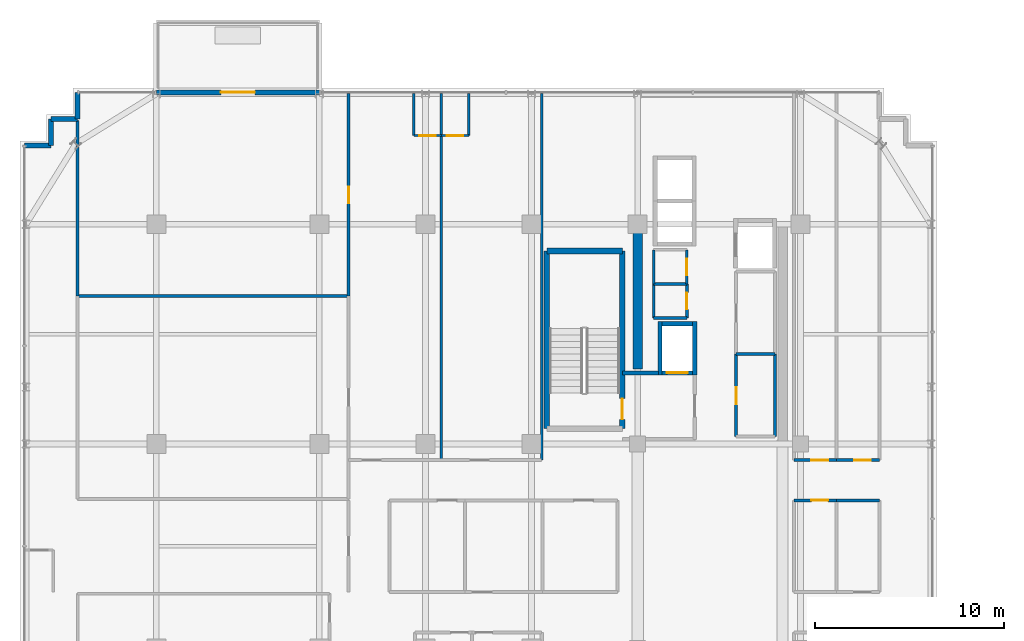
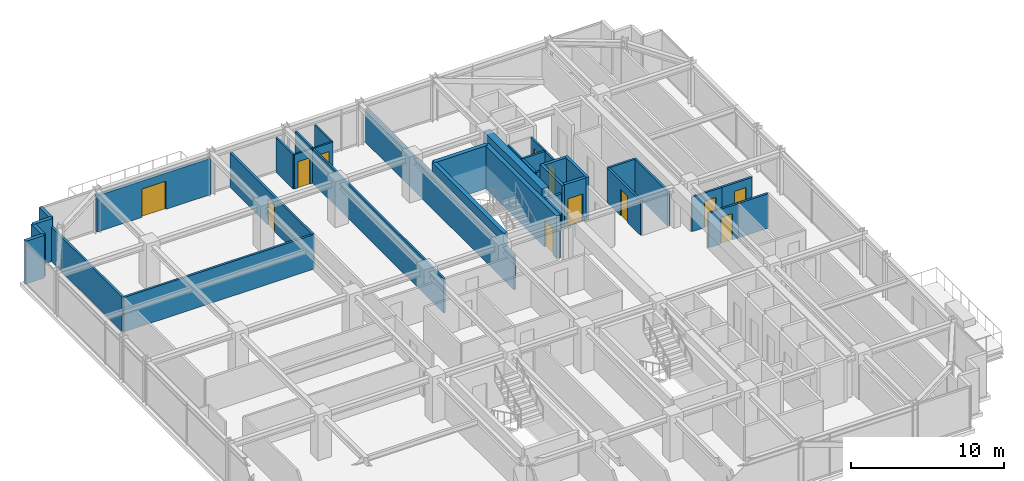
# One storey, part 32 of 36: 36 walls, 12 doors, 12 openings.
"""IFC4 building model written with IfcOpenShell, lengths in metres."""

from ifc_helpers import new_model, si_unit, direction, frame, frame_2d, origin, place, context, subcontext, project, spatial, rectangle, extrude, source, transform, mapped, material, layer, layer_set, type_object, element, fill, save


model = new_model("IFC4")

# Units and contexts
model_context = context("Model", 3, precision=1e-05, world=origin(), true_north=direction((0.0, 1.0)))
body_context = subcontext(model_context, "Body", "Model", "MODEL_VIEW")
ifc_project = project(units=[si_unit("LENGTHUNIT", "METRE"), si_unit("AREAUNIT", "SQUARE_METRE"), si_unit("VOLUMEUNIT", "CUBIC_METRE"), si_unit("PLANEANGLEUNIT", "RADIAN"), si_unit("MASSUNIT", "GRAM", prefix="KILO")], contexts=[model_context])

# Site, building, storey
site_placement = place(None, origin())
site = spatial("IfcSite", under=ifc_project, at=site_placement, CompositionType="ELEMENT")
building_placement = place(site_placement, origin())
building = spatial("IfcBuilding", under=site, at=building_placement, Name="Nahalor Promenade Grand Hotel", CompositionType="ELEMENT")
storey_placement = place(building_placement, frame((0.0, 0.0, 219.699951171875)))
storey = spatial("IfcBuildingStorey", under=building, at=storey_placement, Name="L56", CompositionType="ELEMENT", Elevation=219.699951171875)

# Walls
ifc_material_1 = material(Name="Concrete B-60 (C50/60)", Category="concrete")
ifc_layer_1 = layer(ifc_material_1, 0.5)
ifc_layer_set_1 = layer_set([ifc_layer_1], Name="Concrete B-60 (C50/60)")
wall_type_1 = type_object("IfcWallType", Name="Wall-CoreShear-500", PredefinedType="SHEAR", material=ifc_layer_set_1)
shared_shape_1 = source(origin(), body_context, "Body", "SweptSolid", [
    extrude(rectangle(XDim=7.64990234375, YDim=0.5, at=frame_2d((3.824951171875, 0.0))), origin(), (0.0, 0.0, 1.0), 3.41015625),
])
wall_1_placement = place(storey_placement, frame((8.39990234375, 9.35009765625, 0.0), z_axis=(0.0, 0.0, 1.0), x_axis=(0.0, 1.0, 0.0)))
element("IfcWall", 1, at=wall_1_placement, inside=storey, type_object=wall_type_1, Name="CWALL-L56-NW", PredefinedType="SHEAR", context=body_context, shape_type="MappedRepresentation", body=[
    mapped(shared_shape_1, transform((0.0, 0.0, 0.0), scale=1.0)),
])
ifc_material_2 = material(Name="Concrete B-50 (C40/50)", Category="concrete")
ifc_layer_2 = layer(ifc_material_2, 0.300048828125)
ifc_layer_set_2 = layer_set([ifc_layer_2], Name="Concrete B-50 (C40/50)")
wall_type_2 = type_object("IfcWallType", Name="Wall-ShaftShear-300", PredefinedType="SHEAR", material=ifc_layer_set_2)
shared_shape_2 = source(origin(), body_context, "Body", "SweptSolid", [
    extrude(rectangle(XDim=3.97998046875, YDim=0.300048828125, at=frame_2d((1.989990234375, 0.0))), origin(), (0.0, 0.0, 1.0), 3.41015625),
])
wall_2_placement = place(storey_placement, frame((3.610107421875, 15.590087890625, 0.0), z_axis=(0.0, 0.0, 1.0), x_axis=(1.0, 0.0, 0.0)))
element("IfcWall", 2, at=wall_2_placement, inside=storey, type_object=wall_type_2, Name="L56 Exit Stair ST1 Shaft Wall N", PredefinedType="SHEAR", context=body_context, shape_type="MappedRepresentation", body=[
    mapped(shared_shape_2, transform((0.0, 0.0, 0.0), scale=1.0)),
])
shared_shape_3 = source(origin(), body_context, "Body", "SweptSolid", [
    extrude(rectangle(XDim=9.380126953125, YDim=0.300048828125, at=frame_2d((4.68994140625, 0.0))), origin(), (0.0, 0.0, 1.0), 3.41015625),
])
wall_3_placement = place(storey_placement, frame((3.610107421875, 6.2099609375, 0.0), z_axis=(0.0, 0.0, 1.0), x_axis=(0.0, 1.0, 0.0)))
element("IfcWall", 3, at=wall_3_placement, inside=storey, type_object=wall_type_2, Name="L56 Exit Stair ST1 Shaft Wall W", PredefinedType="SHEAR", context=body_context, shape_type="MappedRepresentation", body=[
    mapped(shared_shape_3, transform((0.0, 0.0, 0.0), scale=1.0)),
])

# Wall, opening, door
wall_4_placement = place(storey_placement, frame((7.590087890625, 6.2099609375, 0.0), z_axis=(0.0, 0.0, 1.0), x_axis=(0.0, 1.0, 0.0)))
wall_4 = element("IfcWall", 4, at=wall_4_placement, inside=storey, type_object=wall_type_2, Name="L56 Exit Stair ST1 Shaft Wall E", PredefinedType="SHEAR", context=body_context, shape_type="MappedRepresentation", body=[
    mapped(shared_shape_3, transform((0.0, 0.0, 0.0), scale=1.0)),
])
opening_1_placement = place(wall_4_placement, frame((0.489990234375, 0.0, 0.0)))
opening_1 = element("IfcOpeningElement", 5, at=opening_1_placement, cuts=wall_4, Name="Opening D-ST1", PredefinedType="OPENING", context=body_context, shape_type="SweptSolid", body=[
    extrude(rectangle(XDim=1.10009765625, YDim=2.14990234375, at=frame_2d((0.550048828125, 1.074951171875))), frame((0.0, 0.159912109375, 0.0), z_axis=(0.0, -1.0, 0.0), x_axis=(1.0, 0.0, 0.0)), (0.0, 0.0, 1.0), 0.320068359375),
])
ifc_material_3 = material(Name="Steel S355JR", Category="steel")
door_type_1 = type_object("IfcDoorType", Name="Door-StairFire-1100", OperationType="NOTDEFINED", PredefinedType="DOOR", material=ifc_material_3)
shared_shape_4 = source(origin(), body_context, "Body", "SweptSolid", [
    extrude(rectangle(XDim=1.10009765625, YDim=2.14990234375, at=frame_2d((0.550048828125, 1.074951171875))), frame((0.0, 0.02490234375, 0.0), z_axis=(0.0, -1.0, 0.0), x_axis=(1.0, 0.0, 0.0)), (0.0, 0.0, 1.0), 0.050048828125),
])
door_1_placement = place(opening_1_placement, origin())
door_1 = element("IfcDoor", 6, at=door_1_placement, inside=storey, type_object=door_type_1, Name="DR-STAIR-ST1-L56", OperationType="SINGLE_SWING_LEFT", OverallHeight=2.14990234375, OverallWidth=1.10009765625, PredefinedType="DOOR", context=body_context, shape_type="MappedRepresentation", body=[
    mapped(shared_shape_4, transform((0.0, 0.0, 0.0), scale=1.0)),
])
fill(opening_1, door_1)

# Walls
ifc_layer_3 = layer(ifc_material_2, 0.219970703125)
ifc_layer_set_3 = layer_set([ifc_layer_3], Name="Concrete B-50 (C40/50)")
wall_type_3 = type_object("IfcWallType", Name="Wall-LiftShaft-220", PredefinedType="SHEAR", material=ifc_layer_set_3)
shared_shape_5 = source(origin(), body_context, "Body", "SweptSolid", [
    extrude(rectangle(XDim=2.820068359375, YDim=0.219970703125, at=frame_2d((1.41015625, 0.0))), origin(), (0.0, 0.0, 1.0), 3.41015625),
])
for number, where, z_axis, x_axis, name in (
    (7, (9.580078125, 9.0400390625, 0.0), (0.0, 0.0, 1.0), (0.0, 1.0, 0.0), "L56 Lift FL1 Hoistway Wall W"),
    (8, (11.419921875, 9.0400390625, 0.0), (0.0, 0.0, 1.0), (0.0, 1.0, 0.0), "L56 Lift FL1 Hoistway Wall E"),
):
    element("IfcWall", number, at=place(storey_placement, frame(where, z_axis=z_axis, x_axis=x_axis)), inside=storey, type_object=wall_type_3, Name=name, PredefinedType="SHEAR", context=body_context, shape_type="MappedRepresentation", body=[
        mapped(shared_shape_5, transform((0.0, 0.0, 0.0), scale=1.0)),
    ])

# Wall, opening, door
shared_shape_6 = source(origin(), body_context, "Body", "SweptSolid", [
    extrude(rectangle(XDim=1.6201171875, YDim=0.219970703125, at=frame_2d((0.81005859375, 0.0))), origin(), (0.0, 0.0, 1.0), 3.41015625),
])
wall_5_placement = place(storey_placement, frame((9.68994140625, 9.14990234375, 0.0), z_axis=(0.0, 0.0, 1.0), x_axis=(1.0, 0.0, 0.0)))
wall_5 = element("IfcWall", 9, at=wall_5_placement, inside=storey, type_object=wall_type_3, Name="L56 Lift FL1 Hoistway Wall S", PredefinedType="SHEAR", context=body_context, shape_type="MappedRepresentation", body=[
    mapped(shared_shape_6, transform((0.0, 0.0, 0.0), scale=1.0)),
])
opening_2_placement = place(wall_5_placement, frame((0.260009765625, 0.0, 0.0)))
opening_2 = element("IfcOpeningElement", 10, at=opening_2_placement, cuts=wall_5, Name="Opening LD-02", PredefinedType="OPENING", context=body_context, shape_type="SweptSolid", body=[
    extrude(rectangle(XDim=1.10009765625, YDim=2.199951171875, at=frame_2d((0.550048828125, 1.10009765625))), frame((0.0, 0.119873046875, 0.0), z_axis=(0.0, -1.0, 0.0), x_axis=(1.0, 0.0, 0.0)), (0.0, 0.0, 1.0), 0.239990234375),
])
door_type_2 = type_object("IfcDoorType", Name="Door-LiftFF-1100", OperationType="DOUBLE_DOOR_SLIDING", PredefinedType="DOOR", material=ifc_material_3)
shared_shape_7 = source(origin(), body_context, "Body", "SweptSolid", [
    extrude(rectangle(XDim=1.10009765625, YDim=2.199951171875, at=frame_2d((0.550048828125, 1.10009765625))), frame((0.0, 0.02490234375, 0.0), z_axis=(0.0, -1.0, 0.0), x_axis=(1.0, 0.0, 0.0)), (0.0, 0.0, 1.0), 0.050048828125),
])
door_2_placement = place(opening_2_placement, frame((1.10009765625, 0.0, 0.0), z_axis=(0.0, 0.0, 1.0), x_axis=(-1.0, 0.0, 0.0)))
door_2 = element("IfcDoor", 11, at=door_2_placement, inside=storey, type_object=door_type_2, Name="DR-LIFT-FL1-L56", OperationType="DOUBLE_DOOR_SLIDING", OverallHeight=2.199951171875, OverallWidth=1.10009765625, PredefinedType="DOOR", context=body_context, shape_type="MappedRepresentation", body=[
    mapped(shared_shape_7, transform((0.0, 0.0, 0.0), scale=1.0)),
])
fill(opening_2, door_2)

# Walls
wall_6_placement = place(storey_placement, frame((9.68994140625, 11.75, 0.0), z_axis=(0.0, 0.0, 1.0), x_axis=(1.0, 0.0, 0.0)))
element("IfcWall", 12, at=wall_6_placement, inside=storey, type_object=wall_type_3, Name="L56 Lift FL1 Hoistway Wall N", PredefinedType="SHEAR", context=body_context, shape_type="MappedRepresentation", body=[
    mapped(shared_shape_6, transform((0.0, 0.0, 0.0), scale=1.0)),
])
ifc_material_4 = material(Name="Concrete B-40 (C32/40)", Category="concrete")
ifc_layer_4 = layer(ifc_material_4, 0.25)
ifc_layer_set_4 = layer_set([ifc_layer_4], Name="Concrete B-40 (C32/40)")
wall_type_4 = type_object("IfcWallType", Name="Wall-BronzePier-250", PredefinedType="STANDARD", material=ifc_layer_set_4)
shared_shape_8 = source(origin(), body_context, "Body", "SweptSolid", [
    extrude(rectangle(XDim=1.39990234375, YDim=0.25, at=frame_2d((0.699951171875, 0.0))), origin(), (0.0, 0.0, 1.0), 3.41015625),
])
for number, where, z_axis, x_axis, name in (
    (13, (-21.159912109375, 22.56005859375, 0.0), (0.0, 0.0, 1.0), (0.0, 1.0, 0.0), "W-L56-SR-09"),
    (14, (-23.9599609375, 21.159912109375, 0.0), (0.0, 0.0, 1.0), (1.0, 0.0, 0.0), "W-L56-SR-12"),
):
    element("IfcWall", number, at=place(storey_placement, frame(where, z_axis=z_axis, x_axis=x_axis)), inside=storey, type_object=wall_type_4, Name=name, PredefinedType="STANDARD", context=body_context, shape_type="MappedRepresentation", body=[
        mapped(shared_shape_8, transform((0.0, 0.0, 0.0), scale=1.0)),
    ])
shared_shape_9 = source(origin(), body_context, "Body", "SweptSolid", [
    extrude(rectangle(XDim=1.400146484375, YDim=0.25, at=frame_2d((0.7001953125, 0.0))), origin(), (0.0, 0.0, 1.0), 3.41015625),
])
for number, where, z_axis, x_axis, name in (
    (15, (-22.56005859375, 22.56005859375, 0.0), (0.0, 0.0, 1.0), (1.0, 0.0, 0.0), "W-L56-SR-10"),
    (16, (-22.56005859375, 21.159912109375, 0.0), (0.0, 0.0, 1.0), (0.0, 1.0, 0.0), "W-L56-SR-11"),
):
    element("IfcWall", number, at=place(storey_placement, frame(where, z_axis=z_axis, x_axis=x_axis)), inside=storey, type_object=wall_type_4, Name=name, PredefinedType="STANDARD", context=body_context, shape_type="MappedRepresentation", body=[
        mapped(shared_shape_9, transform((0.0, 0.0, 0.0), scale=1.0)),
    ])

# Wall, opening, door
ifc_layer_5 = layer(ifc_material_4, 0.260009765625)
ifc_layer_set_5 = layer_set([ifc_layer_5], Name="Concrete B-40 (C32/40)")
wall_type_5 = type_object("IfcWallType", Name="Wall-BalconyWall-260", PredefinedType="STANDARD", material=ifc_layer_set_5)
shared_shape_10 = source(origin(), body_context, "Body", "SweptSolid", [
    extrude(rectangle(XDim=8.60009765625, YDim=0.260009765625, at=frame_2d((4.300048828125, 0.0))), origin(), (0.0, 0.0, 1.0), 2.89013671875),
])
wall_7_placement = place(storey_placement, frame((-17.0, 23.9599609375, 0.0), z_axis=(0.0, 0.0, 1.0), x_axis=(1.0, 0.0, 0.0)))
wall_7 = element("IfcWall", 17, at=wall_7_placement, inside=storey, type_object=wall_type_5, Name="W-L56-BALC-N-2", PredefinedType="STANDARD", context=body_context, shape_type="MappedRepresentation", body=[
    mapped(shared_shape_10, transform((0.0, 0.0, 0.0), scale=1.0)),
])
opening_3_placement = place(wall_7_placement, frame((3.39990234375, 0.0, 0.0)))
opening_3 = element("IfcOpeningElement", 18, at=opening_3_placement, cuts=wall_7, Name="Opening D-BC1", PredefinedType="OPENING", context=body_context, shape_type="SweptSolid", body=[
    extrude(rectangle(XDim=1.800048828125, YDim=2.25, at=frame_2d((0.89990234375, 1.125))), frame((0.0, 0.139892578125, 0.0), z_axis=(0.0, -1.0, 0.0), x_axis=(1.0, 0.0, 0.0)), (0.0, 0.0, 1.0), 0.280029296875),
])
ifc_material_5 = material(Name="Anodised Bronze Aluminium EN AW-6063 T6", Category="aluminium")
door_type_3 = type_object("IfcDoorType", Name="Door-BalconySlide-1800", OperationType="DOUBLE_DOOR_SLIDING", PredefinedType="DOOR", material=ifc_material_5)
shared_shape_11 = source(origin(), body_context, "Body", "SweptSolid", [
    extrude(rectangle(XDim=1.800048828125, YDim=2.25, at=frame_2d((0.89990234375, 1.125))), frame((0.0, 0.02490234375, 0.0), z_axis=(0.0, -1.0, 0.0), x_axis=(1.0, 0.0, 0.0)), (0.0, 0.0, 1.0), 0.050048828125),
])
door_3_placement = place(opening_3_placement, origin())
door_3 = element("IfcDoor", 19, at=door_3_placement, inside=storey, type_object=door_type_3, Name="DR-L56-BALC-N-2", OperationType="DOUBLE_DOOR_SLIDING", OverallHeight=2.25, OverallWidth=1.800048828125, PredefinedType="DOOR", context=body_context, shape_type="MappedRepresentation", body=[
    mapped(shared_shape_11, transform((0.0, 0.0, 0.0), scale=1.0)),
])
fill(opening_3, door_3)

# Walls
ifc_layer_6 = layer(ifc_material_4, 0.199951171875)
ifc_layer_set_6 = layer_set([ifc_layer_6], Name="Concrete B-40 (C32/40)")
wall_type_6 = type_object("IfcWallType", Name="Wall-PartFire-200", PredefinedType="PARTITIONING", material=ifc_layer_set_6)
shared_shape_12 = source(origin(), body_context, "Body", "SweptSolid", [
    extrude(rectangle(XDim=1.89990234375, YDim=0.199951171875, at=frame_2d((0.949951171875, 0.0))), origin(), (0.0, 0.0, 1.0), 2.75),
])
wall_8_placement = place(storey_placement, frame((7.60009765625, 9.14990234375, 0.0), z_axis=(0.0, 0.0, 1.0), x_axis=(1.0, 0.0, 0.0)))
element("IfcWall", 20, at=wall_8_placement, inside=storey, type_object=wall_type_6, Name="W-L56-FF1-N", PredefinedType="PARTITIONING", context=body_context, shape_type="MappedRepresentation", body=[
    mapped(shared_shape_12, transform((0.0, 0.0, 0.0), scale=1.0)),
])
ifc_material_6 = material(Name="Acoustic Mineral Gypsum", Category="gypsum")
ifc_layer_7 = layer(ifc_material_6, 0.14990234375)
ifc_layer_set_7 = layer_set([ifc_layer_7], Name="Acoustic Mineral Gypsum")
wall_type_7 = type_object("IfcWallType", Name="Wall-PartService-150", PredefinedType="PARTITIONING", material=ifc_layer_set_7)
shared_shape_13 = source(origin(), body_context, "Body", "SweptSolid", [
    extrude(rectangle(XDim=1.75, YDim=0.14990234375, at=frame_2d((0.875, 0.0))), origin(), (0.0, 0.0, 1.0), 2.75),
])
for number, where, z_axis, x_axis, name in (
    (21, (9.25, 12.050048828125, 0.0), (0.0, 0.0, 1.0), (1.0, 0.0, 0.0), "W-L56-CK2A-S"),
    (22, (9.25, 13.85009765625, 0.0), (0.0, 0.0, 1.0), (1.0, 0.0, 0.0), "W-L56-CK2A-N"),
):
    element("IfcWall", number, at=place(storey_placement, frame(where, z_axis=z_axis, x_axis=x_axis)), inside=storey, type_object=wall_type_7, Name=name, PredefinedType="PARTITIONING", context=body_context, shape_type="MappedRepresentation", body=[
        mapped(shared_shape_13, transform((0.0, 0.0, 0.0), scale=1.0)),
    ])
ifc_layer_8 = layer(ifc_material_6, 0.159912109375)
ifc_layer_set_8 = layer_set([ifc_layer_8], Name="Acoustic Mineral Gypsum")
wall_type_8 = type_object("IfcWallType", Name="Wall-PartCorridor-160", PredefinedType="PARTITIONING", material=ifc_layer_set_8)
shared_shape_14 = source(origin(), body_context, "Body", "SweptSolid", [
    extrude(rectangle(XDim=2.0498046875, YDim=0.159912109375, at=frame_2d((1.02490234375, 0.0))), origin(), (0.0, 0.0, 1.0), 2.75),
])
wall_9_placement = place(storey_placement, frame((13.60009765625, 10.14990234375, 0.0), z_axis=(0.0, 0.0, 1.0), x_axis=(1.0, 0.0, 0.0)))
element("IfcWall", 23, at=wall_9_placement, inside=storey, type_object=wall_type_8, Name="W-L56-FRB1A-N", PredefinedType="PARTITIONING", context=body_context, shape_type="MappedRepresentation", body=[
    mapped(shared_shape_14, transform((0.0, 0.0, 0.0), scale=1.0)),
])

# Wall, opening, door
shared_shape_15 = source(origin(), body_context, "Body", "SweptSolid", [
    extrude(rectangle(XDim=2.255126953125, YDim=0.159912109375, at=frame_2d((1.12744140625, 0.0))), origin(), (0.0, 0.0, 1.0), 2.75),
])
wall_10_placement = place(storey_placement, frame((16.64990234375, 4.550048828125, 0.0), z_axis=(0.0, 0.0, 1.0), x_axis=(1.0, 0.0, 0.0)))
wall_10 = element("IfcWall", 24, at=wall_10_placement, inside=storey, type_object=wall_type_8, Name="W-L56-ENE1-S", PredefinedType="PARTITIONING", context=body_context, shape_type="MappedRepresentation", body=[
    mapped(shared_shape_15, transform((0.0, 0.0, 0.0), scale=1.0)),
])
opening_4_placement = place(wall_10_placement, frame((0.924072265625, 0.0, 0.0)))
opening_4 = element("IfcOpeningElement", 25, at=opening_4_placement, cuts=wall_10, Name="Opening D-03", PredefinedType="OPENING", context=body_context, shape_type="SweptSolid", body=[
    extrude(rectangle(XDim=0.8798828125, YDim=2.10009765625, at=frame_2d((0.43994140625, 1.050048828125))), frame((0.0, 0.08984375, 0.0), z_axis=(0.0, -1.0, 0.0), x_axis=(1.0, 0.0, 0.0)), (0.0, 0.0, 1.0), 0.179931640625),
])
ifc_material_7 = material(Name="Fire-Rated Timber Composite", Category="wood")
door_type_4 = type_object("IfcDoorType", Name="Door-BathSwing-880", OperationType="NOTDEFINED", PredefinedType="DOOR", material=ifc_material_7)
shared_shape_16 = source(origin(), body_context, "Body", "SweptSolid", [
    extrude(rectangle(XDim=0.8798828125, YDim=2.10009765625, at=frame_2d((0.43994140625, 1.050048828125))), frame((0.0, 0.02490234375, 0.0), z_axis=(0.0, -1.0, 0.0), x_axis=(1.0, 0.0, 0.0)), (0.0, 0.0, 1.0), 0.050048828125),
])
door_4_placement = place(opening_4_placement, origin())
door_4 = element("IfcDoor", 26, at=door_4_placement, inside=storey, type_object=door_type_4, Name="DR-L56-ENE1", OperationType="SINGLE_SWING_LEFT", OverallHeight=2.10009765625, OverallWidth=0.8798828125, PredefinedType="DOOR", context=body_context, shape_type="MappedRepresentation", body=[
    mapped(shared_shape_16, transform((0.0, 0.0, 0.0), scale=1.0)),
])
fill(opening_4, door_4)

wall_11_placement = place(storey_placement, frame((16.64990234375, 2.419921875, 0.0), z_axis=(0.0, 0.0, 1.0), x_axis=(1.0, 0.0, 0.0)))
wall_11 = element("IfcWall", 27, at=wall_11_placement, inside=storey, type_object=wall_type_8, Name="W-L56-ECW1-N", PredefinedType="PARTITIONING", context=body_context, shape_type="MappedRepresentation", body=[
    mapped(shared_shape_15, transform((0.0, 0.0, 0.0), scale=1.0)),
])
opening_5_placement = place(wall_11_placement, frame((0.924072265625, 0.0, 0.0)))
opening_5 = element("IfcOpeningElement", 28, at=opening_5_placement, cuts=wall_11, Name="Opening D-03", PredefinedType="OPENING", context=body_context, shape_type="SweptSolid", body=[
    extrude(rectangle(XDim=0.8798828125, YDim=2.10009765625, at=frame_2d((0.43994140625, 1.050048828125))), frame((0.0, 0.08984375, 0.0), z_axis=(0.0, -1.0, 0.0), x_axis=(1.0, 0.0, 0.0)), (0.0, 0.0, 1.0), 0.179931640625),
])
door_5_placement = place(opening_5_placement, frame((0.8798828125, 0.0, 0.0), z_axis=(0.0, 0.0, 1.0), x_axis=(-1.0, 0.0, 0.0)))
door_5 = element("IfcDoor", 29, at=door_5_placement, inside=storey, type_object=door_type_4, Name="DR-L56-ECW1", OperationType="SINGLE_SWING_RIGHT", OverallHeight=2.10009765625, OverallWidth=0.8798828125, PredefinedType="DOOR", context=body_context, shape_type="MappedRepresentation", body=[
    mapped(shared_shape_16, transform((0.0, 0.0, 0.0), scale=1.0)),
])
fill(opening_5, door_5)

shared_shape_17 = source(origin(), body_context, "Body", "SweptSolid", [
    extrude(rectangle(XDim=2.2548828125, YDim=0.159912109375, at=frame_2d((1.12744140625, 0.0))), origin(), (0.0, 0.0, 1.0), 2.75),
])
wall_12_placement = place(storey_placement, frame((18.905029296875, 4.550048828125, 0.0), z_axis=(0.0, 0.0, 1.0), x_axis=(1.0, 0.0, 0.0)))
wall_12 = element("IfcWall", 30, at=wall_12_placement, inside=storey, type_object=wall_type_8, Name="W-L56-ENE2-S", PredefinedType="PARTITIONING", context=body_context, shape_type="MappedRepresentation", body=[
    mapped(shared_shape_17, transform((0.0, 0.0, 0.0), scale=1.0)),
])
opening_6_placement = place(wall_12_placement, frame((0.924072265625, 0.0, 0.0)))
opening_6 = element("IfcOpeningElement", 31, at=opening_6_placement, cuts=wall_12, Name="Opening D-03", PredefinedType="OPENING", context=body_context, shape_type="SweptSolid", body=[
    extrude(rectangle(XDim=0.8798828125, YDim=2.10009765625, at=frame_2d((0.43994140625, 1.050048828125))), frame((0.0, 0.08984375, 0.0), z_axis=(0.0, -1.0, 0.0), x_axis=(1.0, 0.0, 0.0)), (0.0, 0.0, 1.0), 0.179931640625),
])
door_6_placement = place(opening_6_placement, origin())
door_6 = element("IfcDoor", 32, at=door_6_placement, inside=storey, type_object=door_type_4, Name="DR-L56-ENE2", OperationType="SINGLE_SWING_RIGHT", OverallHeight=2.10009765625, OverallWidth=0.8798828125, PredefinedType="DOOR", context=body_context, shape_type="MappedRepresentation", body=[
    mapped(shared_shape_16, transform((0.0, 0.0, 0.0), scale=1.0)),
])
fill(opening_6, door_6)

# Wall
wall_13_placement = place(storey_placement, frame((18.905029296875, 2.419921875, 0.0), z_axis=(0.0, 0.0, 1.0), x_axis=(1.0, 0.0, 0.0)))
element("IfcWall", 33, at=wall_13_placement, inside=storey, type_object=wall_type_8, Name="W-L56-ECW2-N", PredefinedType="PARTITIONING", context=body_context, shape_type="MappedRepresentation", body=[
    mapped(shared_shape_17, transform((0.0, 0.0, 0.0), scale=1.0)),
])

# Wall, opening, door
ifc_layer_9 = layer(ifc_material_6, 0.1201171875)
ifc_layer_set_9 = layer_set([ifc_layer_9], Name="Acoustic Mineral Gypsum")
wall_type_9 = type_object("IfcWallType", Name="Wall-PartBath-120", PredefinedType="PARTITIONING", material=ifc_layer_set_9)
shared_shape_18 = source(origin(), body_context, "Body", "SweptSolid", [
    extrude(rectangle(XDim=1.449951171875, YDim=0.1201171875, at=frame_2d((0.72509765625, 0.0))), origin(), (0.0, 0.0, 1.0), 2.75),
])
wall_14_placement = place(storey_placement, frame((-3.408935546875, 21.679931640625, 0.0), z_axis=(0.0, 0.0, 1.0), x_axis=(1.0, 0.0, 0.0)))
wall_14 = element("IfcWall", 34, at=wall_14_placement, inside=storey, type_object=wall_type_9, Name="W-L56-N1-BH", PredefinedType="PARTITIONING", context=body_context, shape_type="MappedRepresentation", body=[
    mapped(shared_shape_18, transform((0.0, 0.0, 0.0), scale=1.0)),
])
opening_7_placement = place(wall_14_placement, frame((0.284912109375, 0.0, 0.0)))
opening_7 = element("IfcOpeningElement", 35, at=opening_7_placement, cuts=wall_14, Name="Opening D-03", PredefinedType="OPENING", context=body_context, shape_type="SweptSolid", body=[
    extrude(rectangle(XDim=0.8798828125, YDim=2.10009765625, at=frame_2d((0.43994140625, 1.050048828125))), frame((0.0, 0.070068359375, 0.0), z_axis=(0.0, -1.0, 0.0), x_axis=(1.0, 0.0, 0.0)), (0.0, 0.0, 1.0), 0.14013671875),
])
door_7_placement = place(opening_7_placement, origin())
door_7 = element("IfcDoor", 36, at=door_7_placement, inside=storey, type_object=door_type_4, Name="DR-L56-N1-BATH", OperationType="SINGLE_SWING_LEFT", OverallHeight=2.10009765625, OverallWidth=0.8798828125, PredefinedType="DOOR", context=body_context, shape_type="MappedRepresentation", body=[
    mapped(shared_shape_16, transform((0.0, 0.0, 0.0), scale=1.0)),
])
fill(opening_7, door_7)

wall_15_placement = place(storey_placement, frame((-1.958984375, 21.679931640625, 0.0), z_axis=(0.0, 0.0, 1.0), x_axis=(1.0, 0.0, 0.0)))
wall_15 = element("IfcWall", 37, at=wall_15_placement, inside=storey, type_object=wall_type_9, Name="W-L56-N2-BH", PredefinedType="PARTITIONING", context=body_context, shape_type="MappedRepresentation", body=[
    mapped(shared_shape_18, transform((0.0, 0.0, 0.0), scale=1.0)),
])
opening_8_placement = place(wall_15_placement, frame((0.284912109375, 0.0, 0.0)))
opening_8 = element("IfcOpeningElement", 38, at=opening_8_placement, cuts=wall_15, Name="Opening D-03", PredefinedType="OPENING", context=body_context, shape_type="SweptSolid", body=[
    extrude(rectangle(XDim=0.8798828125, YDim=2.10009765625, at=frame_2d((0.43994140625, 1.050048828125))), frame((0.0, 0.070068359375, 0.0), z_axis=(0.0, -1.0, 0.0), x_axis=(1.0, 0.0, 0.0)), (0.0, 0.0, 1.0), 0.14013671875),
])
door_8_placement = place(opening_8_placement, origin())
door_8 = element("IfcDoor", 39, at=door_8_placement, inside=storey, type_object=door_type_4, Name="DR-L56-N2-BATH", OperationType="SINGLE_SWING_LEFT", OverallHeight=2.10009765625, OverallWidth=0.8798828125, PredefinedType="DOOR", context=body_context, shape_type="MappedRepresentation", body=[
    mapped(shared_shape_16, transform((0.0, 0.0, 0.0), scale=1.0)),
])
fill(opening_8, door_8)

# Walls
shared_shape_19 = source(origin(), body_context, "Body", "SweptSolid", [
    extrude(rectangle(XDim=2.219970703125, YDim=0.1201171875, at=frame_2d((1.10986328125, 0.0))), origin(), (0.0, 0.0, 1.0), 2.75),
])
for number, where, z_axis, x_axis, name in (
    (40, (-3.408935546875, 21.679931640625, 0.0), (0.0, 0.0, 1.0), (0.0, 1.0, 0.0), "W-L56-N1-BV"),
    (41, (-0.509033203125, 21.679931640625, 0.0), (0.0, 0.0, 1.0), (0.0, 1.0, 0.0), "W-L56-N2-BV"),
):
    element("IfcWall", number, at=place(storey_placement, frame(where, z_axis=z_axis, x_axis=x_axis)), inside=storey, type_object=wall_type_9, Name=name, PredefinedType="PARTITIONING", context=body_context, shape_type="MappedRepresentation", body=[
        mapped(shared_shape_19, transform((0.0, 0.0, 0.0), scale=1.0)),
    ])
ifc_layer_10 = layer(ifc_material_6, 0.139892578125)
ifc_layer_set_10 = layer_set([ifc_layer_10], Name="Acoustic Mineral Gypsum")
wall_type_10 = type_object("IfcWallType", Name="Wall-PartSuite-140", PredefinedType="PARTITIONING", material=ifc_layer_set_10)
shared_shape_20 = source(origin(), body_context, "Body", "SweptSolid", [
    extrude(rectangle(XDim=19.349853515625, YDim=0.139892578125, at=frame_2d((9.6748046875, 0.0))), origin(), (0.0, 0.0, 1.0), 2.75),
])
for number, where, z_axis, x_axis, name in (
    (42, (3.340087890625, 4.550048828125, 0.0), (0.0, 0.0, 1.0), (0.0, 1.0, 0.0), "W-L56-NW-ENDE"),
    (43, (-1.958984375, 4.550048828125, 0.0), (0.0, 0.0, 1.0), (0.0, 1.0, 0.0), "W-L56-NP-1"),
):
    element("IfcWall", number, at=place(storey_placement, frame(where, z_axis=z_axis, x_axis=x_axis)), inside=storey, type_object=wall_type_10, Name=name, PredefinedType="PARTITIONING", context=body_context, shape_type="MappedRepresentation", body=[
        mapped(shared_shape_20, transform((0.0, 0.0, 0.0), scale=1.0)),
    ])
shared_shape_21 = source(origin(), body_context, "Body", "SweptSolid", [
    extrude(rectangle(XDim=1.800048828125, YDim=0.14990234375, at=frame_2d((0.89990234375, 0.0))), origin(), (0.0, 0.0, 1.0), 2.75),
])
wall_16_placement = place(storey_placement, frame((9.25, 12.050048828125, 0.0), z_axis=(0.0, 0.0, 1.0), x_axis=(0.0, 1.0, 0.0)))
element("IfcWall", 44, at=wall_16_placement, inside=storey, type_object=wall_type_7, Name="W-L56-CK2A-W", PredefinedType="PARTITIONING", context=body_context, shape_type="MappedRepresentation", body=[
    mapped(shared_shape_21, transform((0.0, 0.0, 0.0), scale=1.0)),
])

# Wall, opening, door
wall_17_placement = place(storey_placement, frame((11.0, 12.050048828125, 0.0), z_axis=(0.0, 0.0, 1.0), x_axis=(0.0, 1.0, 0.0)))
wall_17 = element("IfcWall", 45, at=wall_17_placement, inside=storey, type_object=wall_type_7, Name="W-L56-CK2A-E", PredefinedType="PARTITIONING", context=body_context, shape_type="MappedRepresentation", body=[
    mapped(shared_shape_21, transform((0.0, 0.0, 0.0), scale=1.0)),
])
opening_9_placement = place(wall_17_placement, frame((0.4599609375, 0.0, 0.0)))
opening_9 = element("IfcOpeningElement", 46, at=opening_9_placement, cuts=wall_17, Name="Opening D-03", PredefinedType="OPENING", context=body_context, shape_type="SweptSolid", body=[
    extrude(rectangle(XDim=0.8798828125, YDim=2.10009765625, at=frame_2d((0.43994140625, 1.050048828125))), frame((0.0, 0.0849609375, 0.0), z_axis=(0.0, -1.0, 0.0), x_axis=(1.0, 0.0, 0.0)), (0.0, 0.0, 1.0), 0.169921875),
])
door_9_placement = place(opening_9_placement, origin())
door_9 = element("IfcDoor", 47, at=door_9_placement, inside=storey, type_object=door_type_4, Name="DR-L56-CK2A", OperationType="SINGLE_SWING_LEFT", OverallHeight=2.10009765625, OverallWidth=0.8798828125, PredefinedType="DOOR", context=body_context, shape_type="MappedRepresentation", body=[
    mapped(shared_shape_16, transform((0.0, 0.0, 0.0), scale=1.0)),
])
fill(opening_9, door_9)

# Wall
shared_shape_22 = source(origin(), body_context, "Body", "SweptSolid", [
    extrude(rectangle(XDim=1.7998046875, YDim=0.1201171875, at=frame_2d((0.89990234375, 0.0))), origin(), (0.0, 0.0, 1.0), 2.75),
])
wall_18_placement = place(storey_placement, frame((9.25, 13.85009765625, 0.0), z_axis=(0.0, 0.0, 1.0), x_axis=(0.0, 1.0, 0.0)))
element("IfcWall", 48, at=wall_18_placement, inside=storey, type_object=wall_type_9, Name="W-L56-CK2B-W", PredefinedType="PARTITIONING", context=body_context, shape_type="MappedRepresentation", body=[
    mapped(shared_shape_22, transform((0.0, 0.0, 0.0), scale=1.0)),
])

# Wall, opening, door
wall_19_placement = place(storey_placement, frame((11.0, 13.85009765625, 0.0), z_axis=(0.0, 0.0, 1.0), x_axis=(0.0, 1.0, 0.0)))
wall_19 = element("IfcWall", 49, at=wall_19_placement, inside=storey, type_object=wall_type_9, Name="W-L56-CK2B-E", PredefinedType="PARTITIONING", context=body_context, shape_type="MappedRepresentation", body=[
    mapped(shared_shape_22, transform((0.0, 0.0, 0.0), scale=1.0)),
])
opening_10_placement = place(wall_19_placement, frame((0.4599609375, 0.0, 0.0)))
opening_10 = element("IfcOpeningElement", 50, at=opening_10_placement, cuts=wall_19, Name="Opening D-03", PredefinedType="OPENING", context=body_context, shape_type="SweptSolid", body=[
    extrude(rectangle(XDim=0.8798828125, YDim=2.10009765625, at=frame_2d((0.43994140625, 1.050048828125))), frame((0.0, 0.070068359375, 0.0), z_axis=(0.0, -1.0, 0.0), x_axis=(1.0, 0.0, 0.0)), (0.0, 0.0, 1.0), 0.14013671875),
])
door_10_placement = place(opening_10_placement, origin())
door_10 = element("IfcDoor", 51, at=door_10_placement, inside=storey, type_object=door_type_4, Name="DR-L56-CK2B", OperationType="SINGLE_SWING_RIGHT", OverallHeight=2.10009765625, OverallWidth=0.8798828125, PredefinedType="DOOR", context=body_context, shape_type="MappedRepresentation", body=[
    mapped(shared_shape_16, transform((0.0, 0.0, 0.0), scale=1.0)),
])
fill(opening_10, door_10)

shared_shape_23 = source(origin(), body_context, "Body", "SweptSolid", [
    extrude(rectangle(XDim=4.349853515625, YDim=0.159912109375, at=frame_2d((2.1748046875, 0.0))), origin(), (0.0, 0.0, 1.0), 2.75),
])
wall_20_placement = place(storey_placement, frame((13.60009765625, 5.800048828125, 0.0), z_axis=(0.0, 0.0, 1.0), x_axis=(0.0, 1.0, 0.0)))
wall_20 = element("IfcWall", 52, at=wall_20_placement, inside=storey, type_object=wall_type_8, Name="W-L56-FRB1A-W", PredefinedType="PARTITIONING", context=body_context, shape_type="MappedRepresentation", body=[
    mapped(shared_shape_23, transform((0.0, 0.0, 0.0), scale=1.0)),
])
opening_11_placement = place(wall_20_placement, frame((1.7099609375, 0.0, 0.0)))
opening_11 = element("IfcOpeningElement", 53, at=opening_11_placement, cuts=wall_20, Name="Opening D-03", PredefinedType="OPENING", context=body_context, shape_type="SweptSolid", body=[
    extrude(rectangle(XDim=0.8798828125, YDim=2.10009765625, at=frame_2d((0.43994140625, 1.050048828125))), frame((0.0, 0.08984375, 0.0), z_axis=(0.0, -1.0, 0.0), x_axis=(1.0, 0.0, 0.0)), (0.0, 0.0, 1.0), 0.179931640625),
])
door_11_placement = place(opening_11_placement, frame((0.8798828125, 0.0, 0.0), z_axis=(0.0, 0.0, 1.0), x_axis=(-1.0, 0.0, 0.0)))
door_11 = element("IfcDoor", 54, at=door_11_placement, inside=storey, type_object=door_type_4, Name="DR-L56-FRB1A", OperationType="SINGLE_SWING_LEFT", OverallHeight=2.10009765625, OverallWidth=0.8798828125, PredefinedType="DOOR", context=body_context, shape_type="MappedRepresentation", body=[
    mapped(shared_shape_16, transform((0.0, 0.0, 0.0), scale=1.0)),
])
fill(opening_11, door_11)

# Walls
wall_21_placement = place(storey_placement, frame((15.64990234375, 5.800048828125, 0.0), z_axis=(0.0, 0.0, 1.0), x_axis=(0.0, 1.0, 0.0)))
element("IfcWall", 55, at=wall_21_placement, inside=storey, type_object=wall_type_8, Name="W-L56-FRB1A-E", PredefinedType="PARTITIONING", context=body_context, shape_type="MappedRepresentation", body=[
    mapped(shared_shape_23, transform((0.0, 0.0, 0.0), scale=1.0)),
])
shared_shape_24 = source(origin(), body_context, "Body", "SweptSolid", [
    extrude(rectangle(XDim=14.309814453125, YDim=0.159912109375, at=frame_2d((7.15478515625, 0.0))), origin(), (0.0, 0.0, 1.0), 2.75),
])
wall_22_placement = place(storey_placement, frame((-21.159912109375, 13.199951171875, 0.0), z_axis=(0.0, 0.0, 1.0), x_axis=(1.0, 0.0, 0.0)))
element("IfcWall", 56, at=wall_22_placement, inside=storey, type_object=wall_type_8, Name="W-L56-NW0A-N", PredefinedType="PARTITIONING", context=body_context, shape_type="MappedRepresentation", body=[
    mapped(shared_shape_24, transform((0.0, 0.0, 0.0), scale=1.0)),
])

# Wall, opening, door
shared_shape_25 = source(origin(), body_context, "Body", "SweptSolid", [
    extrude(rectangle(XDim=10.699951171875, YDim=0.159912109375, at=frame_2d((5.35009765625, 0.0))), origin(), (0.0, 0.0, 1.0), 2.75),
])
wall_23_placement = place(storey_placement, frame((-6.85009765625, 13.199951171875, 0.0), z_axis=(0.0, 0.0, 1.0), x_axis=(0.0, 1.0, 0.0)))
wall_23 = element("IfcWall", 57, at=wall_23_placement, inside=storey, type_object=wall_type_8, Name="W-L56-NW0B-E", PredefinedType="PARTITIONING", context=body_context, shape_type="MappedRepresentation", body=[
    mapped(shared_shape_25, transform((0.0, 0.0, 0.0), scale=1.0)),
])
opening_12_placement = place(wall_23_placement, frame((4.909912109375, 0.0, 0.0)))
opening_12 = element("IfcOpeningElement", 58, at=opening_12_placement, cuts=wall_23, Name="Opening D-03", PredefinedType="OPENING", context=body_context, shape_type="SweptSolid", body=[
    extrude(rectangle(XDim=0.8798828125, YDim=2.10009765625, at=frame_2d((0.43994140625, 1.050048828125))), frame((0.0, 0.08984375, 0.0), z_axis=(0.0, -1.0, 0.0), x_axis=(1.0, 0.0, 0.0)), (0.0, 0.0, 1.0), 0.179931640625),
])
door_12_placement = place(opening_12_placement, origin())
door_12 = element("IfcDoor", 59, at=door_12_placement, inside=storey, type_object=door_type_4, Name="DR-L56-NW0B", OperationType="SINGLE_SWING_RIGHT", OverallHeight=2.10009765625, OverallWidth=0.8798828125, PredefinedType="DOOR", context=body_context, shape_type="MappedRepresentation", body=[
    mapped(shared_shape_16, transform((0.0, 0.0, 0.0), scale=1.0)),
])
fill(opening_12, door_12)

# Wall
shared_shape_26 = source(origin(), body_context, "Body", "SweptSolid", [
    extrude(rectangle(XDim=9.280029296875, YDim=0.159912109375, at=frame_2d((4.64013671875, 0.0))), origin(), (0.0, 0.0, 1.0), 2.75),
])
wall_24_placement = place(storey_placement, frame((-21.159912109375, 13.199951171875, 0.0), z_axis=(0.0, 0.0, 1.0), x_axis=(0.0, 1.0, 0.0)))
element("IfcWall", 60, at=wall_24_placement, inside=storey, type_object=wall_type_8, Name="W-L56-NW0B-W", PredefinedType="PARTITIONING", context=body_context, shape_type="MappedRepresentation", body=[
    mapped(shared_shape_26, transform((0.0, 0.0, 0.0), scale=1.0)),
])

save(model, "model.ifc")
